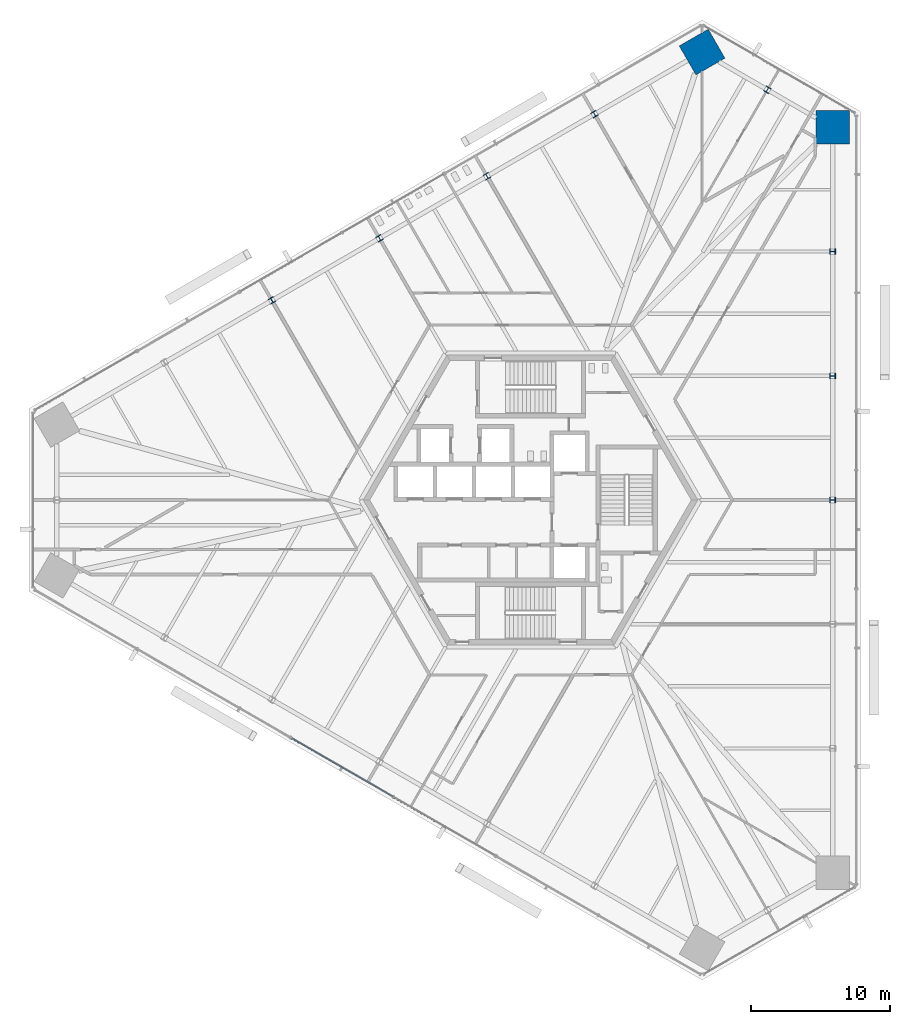
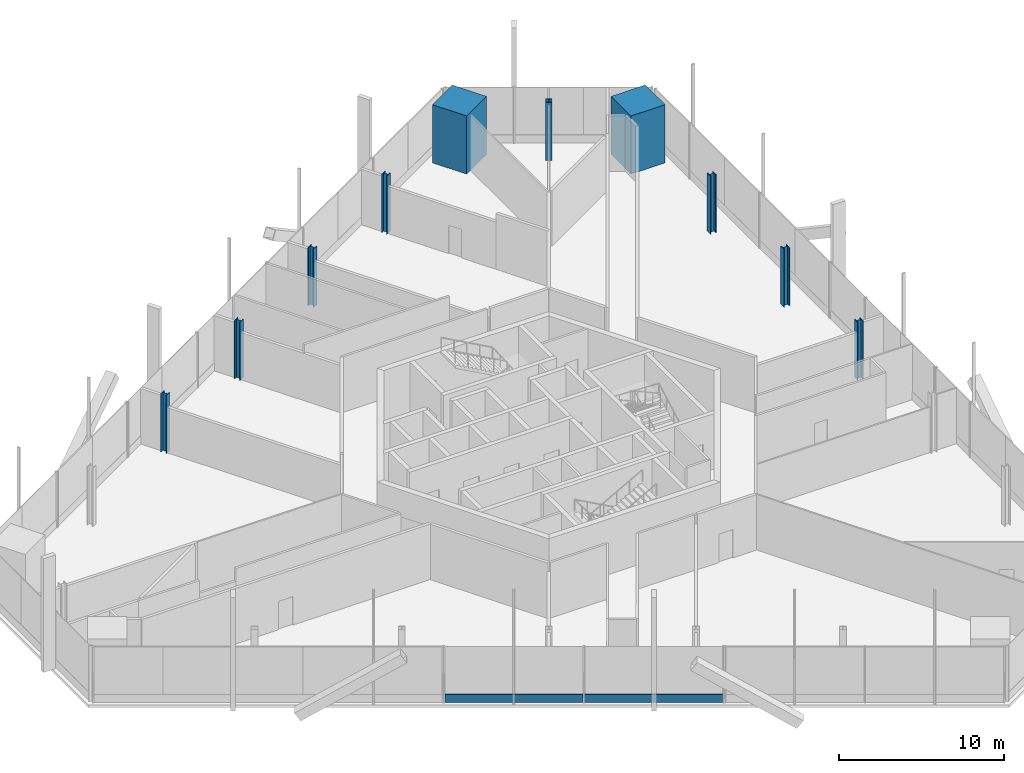
# One storey, part 2 of 19: 10 columns, 2 members, 1 element without a shape of its own.
"""IFC4 building model written with IfcOpenShell, lengths in metres."""

from ifc_helpers import new_model, si_unit, direction, frame, origin, origin_2d, place, context, subcontext, project, spatial, rectangle, i_section, extrude, source, transform, mapped, material, material_profile, profile_set, type_object, element, aggregate, save


model = new_model("IFC4")

# Units and contexts
model_context = context("Model", 3, precision=1e-05, world=origin(), true_north=direction((0.0, 1.0)))
body_context = subcontext(model_context, "Body", "Model", "MODEL_VIEW")
ifc_project = project(units=[si_unit("LENGTHUNIT", "METRE"), si_unit("AREAUNIT", "SQUARE_METRE"), si_unit("VOLUMEUNIT", "CUBIC_METRE"), si_unit("PLANEANGLEUNIT", "RADIAN"), si_unit("MASSUNIT", "GRAM", prefix="KILO")], contexts=[model_context])

# Site, building, storey
site_placement = place(None, origin())
site = spatial("IfcSite", under=ifc_project, at=site_placement, CompositionType="ELEMENT")
building_placement = place(site_placement, origin())
building = spatial("IfcBuilding", under=site, at=building_placement, Name="Triune Harvest Tower", CompositionType="ELEMENT")
storey_placement = place(building_placement, frame((0.0, 0.0, 24.60009765625)))
storey = spatial("IfcBuildingStorey", under=building, at=storey_placement, Name="L05", CompositionType="ELEMENT", Elevation=24.60009765625)

# Columns
ifc_material_1 = material(Name="Concrete 70 MPa", Category="concrete")
ifc_material_profile_1 = material_profile(ifc_material_1, rectangle(XDim=2.39990234375, YDim=2.39990234375, at=origin_2d()), Name="Composite 2400x2400")
ifc_profile_set_1 = profile_set([ifc_material_profile_1], Name="Concrete 70 MPa")
column_type_1 = type_object("IfcColumnType", Name="MC-1 Mega column Composite 2400x2400", PredefinedType="COLUMN", material=ifc_profile_set_1)
shared_shape_1 = source(origin(), body_context, "Body", "SweptSolid", [
    extrude(rectangle(XDim=2.39990234375, YDim=2.39990234375, at=origin_2d()), origin(), (0.0, 0.0, 1.0), 4.2998046875),
])
for number, where, z_axis, x_axis, name in (
    (1, (21.679443359375, 26.72998046875, 0.0), (0.0, 0.0, 1.0), (0.0, 1.0, 0.0), "col/L05/M6"),
    (2, (12.30908203125, 32.139892578125, 0.0), (0.0, 0.0, 1.0), (-0.866025403784, -0.5, 0.0), "col/L05/M8"),
):
    element("IfcColumn", number, at=place(storey_placement, frame(where, z_axis=z_axis, x_axis=x_axis)), inside=storey, type_object=column_type_1, Name=name, PredefinedType="COLUMN", context=body_context, shape_type="MappedRepresentation", body=[
        mapped(shared_shape_1, transform((0.0, 0.0, 0.0), scale=1.0)),
    ])
ifc_material_2 = material(Name="Steel ASTM A992 Gr 50", Category="steel")
ifc_material_profile_2 = material_profile(ifc_material_2, i_section(OverallWidth=0.40380859375, OverallDepth=0.406494140625, WebThickness=0.027099609375, FlangeThickness=0.043701171875, at=origin_2d()), Name="W14x233")
ifc_profile_set_2 = profile_set([ifc_material_profile_2], Name="Steel ASTM A992 Gr 50")
column_type_2 = type_object("IfcColumnType", Name="PC-1 Perimeter column W14x233", PredefinedType="COLUMN", material=ifc_profile_set_2)
shared_shape_2 = source(origin(), body_context, "Body", "SweptSolid", [
    extrude(i_section(OverallWidth=0.40380859375, OverallDepth=0.406494140625, WebThickness=0.027099609375, FlangeThickness=0.043701171875, at=origin_2d()), origin(), (0.0, 0.0, 1.0), 4.2998046875),
])
for number, where, z_axis, x_axis, name in (
    (3, (21.679443359375, 0.0, 0.0), (0.0, 0.0, 1.0), (0.0, 1.0, 0.0), "col/L05/P3"),
    (4, (21.679443359375, 8.909912109375, 0.0), (0.0, 0.0, 1.0), (0.0, 1.0, 0.0), "col/L05/P4"),
    (5, (21.679443359375, 17.820068359375, 0.0), (0.0, 0.0, 1.0), (0.0, 1.0, 0.0), "col/L05/P5"),
    (6, (16.994384765625, 29.43505859375, 0.0), (0.0, 0.0, 1.0), (-0.866026276448, 0.4999984885, 0.0), "col/L05/P7"),
    (7, (4.5927734375, 27.68505859375, 0.0), (0.0, 0.0, 1.0), (-0.866025403784, -0.5, 0.0), "col/L05/P9"),
    (8, (-3.12353515625, 23.22998046875, 0.0), (0.0, 0.0, 1.0), (-0.866025403784, -0.5, 0.0), "col/L05/P10"),
    (9, (-10.839599609375, 18.77490234375, 0.0), (0.0, 0.0, 1.0), (-0.866025403784, -0.5, 0.0), "col/L05/P11"),
    (10, (-18.555908203125, 14.320068359375, 0.0), (0.0, 0.0, 1.0), (-0.866025403784, -0.5, 0.0), "col/L05/P12"),
):
    element("IfcColumn", number, at=place(storey_placement, frame(where, z_axis=z_axis, x_axis=x_axis)), inside=storey, type_object=column_type_2, Name=name, PredefinedType="COLUMN", context=body_context, shape_type="MappedRepresentation", body=[
        mapped(shared_shape_2, transform((0.0, 0.0, 0.0), scale=1.0)),
    ])

# Curtain wall, members
ifc_material_3 = material(Name="Aluminium bronze anodised", Category="aluminium")
curtain_wall_type = type_object("IfcCurtainWallType", Name="CW-3 Farm floor curtain wall", PredefinedType="NOTDEFINED", material=ifc_material_3)
curtain_wall_placement = place(storey_placement, origin())
curtain_wall = element("IfcCurtainWall", 11, at=curtain_wall_placement, inside=storey, type_object=curtain_wall_type, Name="CW-3 B1-F5 L05 run 1001")
ifc_material_4 = material(Name="Aluminium bronze anodised", Category="aluminium")
ifc_material_profile_3 = material_profile(ifc_material_4, rectangle(XDim=0.090087890625, YDim=0.60009765625, at=origin_2d()), Name="TR-3 transom 90 x 600")
ifc_profile_set_3 = profile_set([ifc_material_profile_3], Name="Aluminium bronze anodised")
member_type = type_object("IfcMemberType", Name="TR-3 transom 90 x 600", PredefinedType="USERDEFINED", material=ifc_profile_set_3)
shared_shape_3 = source(origin(), body_context, "Body", "SweptSolid", [
    extrude(rectangle(XDim=0.090087890625, YDim=0.60009765625, at=origin_2d()), origin(), (0.0, 0.0, 1.0), 8.37744140625),
])
member_1_placement = place(storey_placement, frame((-9.811279296875, -21.322265625, 0.2998046875), z_axis=(0.866026892193, -0.499997421992, 0.0), x_axis=(0.499997421992, 0.866026892193, 0.0)))
member_1 = element("IfcMember", 12, at=member_1_placement, type_object=member_type, Name="CW-3 transom B1-F5 1001.2", ObjectType="TRANSOM", PredefinedType="USERDEFINED", context=body_context, shape_type="MappedRepresentation", body=[
    mapped(shared_shape_3, transform((0.0, 0.0, 0.0), scale=1.0)),
])
shared_shape_4 = source(origin(), body_context, "Body", "SweptSolid", [
    extrude(rectangle(XDim=0.090087890625, YDim=0.60009765625, at=origin_2d()), origin(), (0.0, 0.0, 1.0), 8.377685546875),
])
member_2_placement = place(storey_placement, frame((-17.1357421875, -17.093505859375, 0.2998046875), z_axis=(0.866014273083, -0.500019278445, 0.0), x_axis=(0.500019278445, 0.866014273083, 0.0)))
member_2 = element("IfcMember", 13, at=member_2_placement, type_object=member_type, Name="CW-3 transom B1-F5 1001.1", ObjectType="TRANSOM", PredefinedType="USERDEFINED", context=body_context, shape_type="MappedRepresentation", body=[
    mapped(shared_shape_4, transform((0.0, 0.0, 0.0), scale=1.0)),
])
aggregate(curtain_wall, [member_2, member_1])

save(model, "model.ifc")
